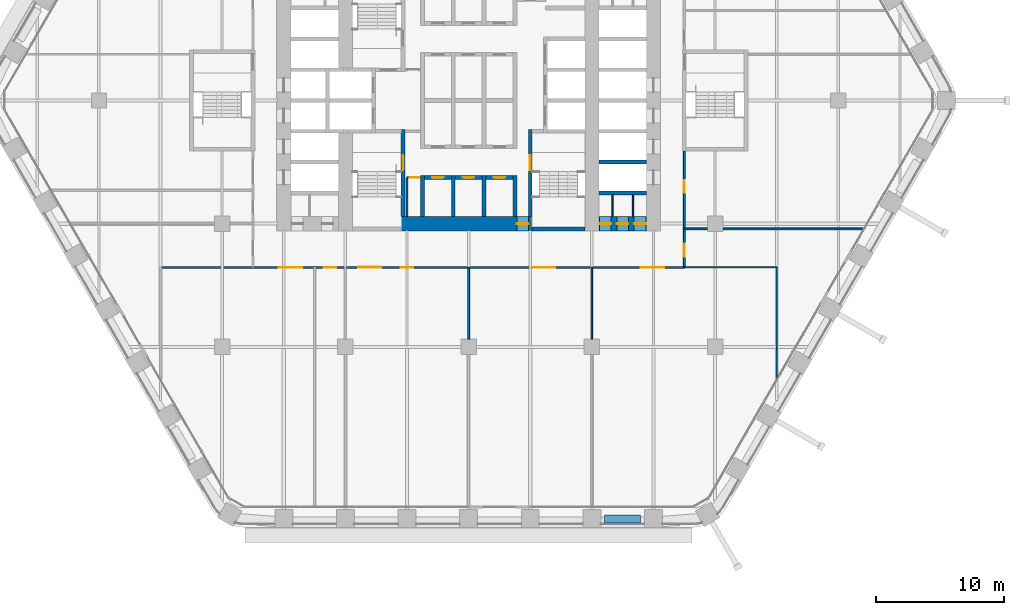
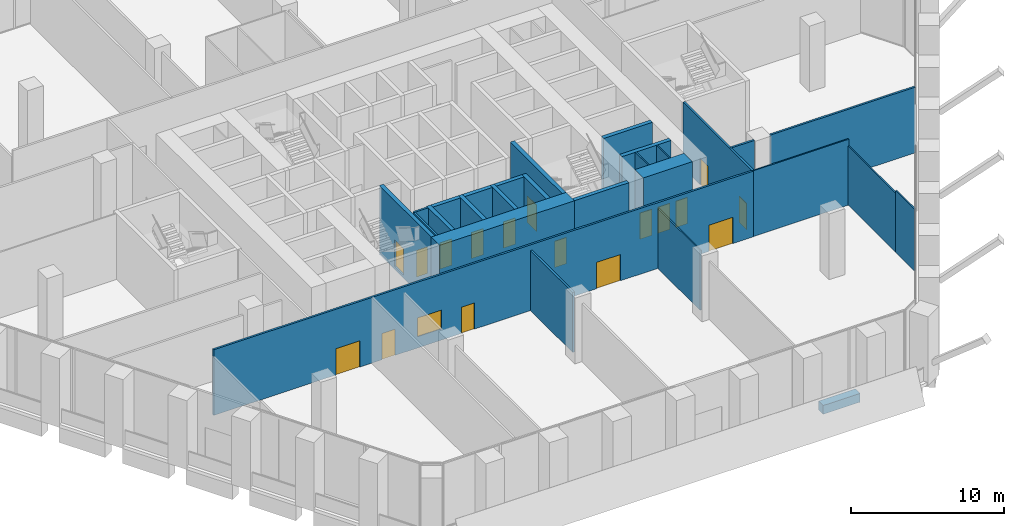
# One storey, part 19 of 29: 28 walls, 17 doors, 1 window, 18 openings.
"""IFC4 building model written with IfcOpenShell, lengths in metres."""

from ifc_helpers import new_model, si_unit, direction, frame, frame_2d, origin, place, context, subcontext, project, spatial, rectangle, extrude, material, layer, layer_set, type_object, element, fill, save


model = new_model("IFC4")

# Units and contexts
model_context = context("Model", 3, precision=1e-05, world=origin(), true_north=direction((0.0, 1.0)))
body_context = subcontext(model_context, "Body", "Model", "MODEL_VIEW")
ifc_project = project(units=[si_unit("LENGTHUNIT", "METRE"), si_unit("AREAUNIT", "SQUARE_METRE"), si_unit("VOLUMEUNIT", "CUBIC_METRE"), si_unit("PLANEANGLEUNIT", "RADIAN"), si_unit("MASSUNIT", "GRAM", prefix="KILO")], contexts=[model_context])

# Site, building, storey
site_placement = place(None, origin())
site = spatial("IfcSite", under=ifc_project, at=site_placement, CompositionType="ELEMENT")
building_placement = place(site_placement, origin())
building = spatial("IfcBuilding", under=site, at=building_placement, Name="Kolab Exchange Tower", CompositionType="ELEMENT")
storey_placement = place(building_placement, frame((0.0, 0.0, 55.39990234375)))
storey = spatial("IfcBuildingStorey", under=building, at=storey_placement, Name="L10", CompositionType="ELEMENT", Elevation=55.39990234375)

# Wall, opening, door
ifc_material_1 = material(Name="Concrete C80/95", Category="concrete")
ifc_layer_1 = layer(ifc_material_1, 1.10009765625)
ifc_layer_set_1 = layer_set([ifc_layer_1], Name="Concrete C80/95")
wall_type_1 = type_object("IfcWallType", Name="CORE WALL 1100 C80/95", PredefinedType="SHEAR", material=ifc_layer_set_1)
wall_1_placement = place(storey_placement, frame((-5.25, -9.60009765625, -0.25), z_axis=(0.0, 0.0, 1.0), x_axis=(1.0, 0.0, 0.0)))
wall_1 = element("IfcWall", 1, at=wall_1_placement, inside=storey, type_object=wall_type_1, Name="wall/L10/core/003", PredefinedType="SHEAR", context=body_context, shape_type="SweptSolid", body=[
    extrude(rectangle(XDim=10.199951171875, YDim=1.10009765625, at=frame_2d((5.10009765625, 0.0))), origin(), (0.0, 0.0, 1.0), 5.5),
])
opening_1_placement = place(wall_1_placement, frame((9.0, 0.0, 0.25)))
opening_1 = element("IfcOpeningElement", 2, at=opening_1_placement, cuts=wall_1, Name="Opening D6-116", PredefinedType="OPENING", context=body_context, shape_type="SweptSolid", body=[
    extrude(rectangle(XDim=0.89990234375, YDim=2.10009765625, at=frame_2d((0.449951171875, 1.050048828125))), frame((0.0, 0.56005859375, 0.0), z_axis=(0.0, -1.0, 0.0), x_axis=(1.0, 0.0, 0.0)), (0.0, 0.0, 1.0), 1.1201171875),
])
ifc_material_2 = material(Name="Steel S235", Category="steel")
door_type_1 = type_object("IfcDoorType", Name="CORE DOOR 900 EI 120", OperationType="SINGLE_SWING_LEFT", PredefinedType="DOOR", material=ifc_material_2)
door_1_placement = place(opening_1_placement, origin())
door_1 = element("IfcDoor", 3, at=door_1_placement, inside=storey, type_object=door_type_1, Name="Core lobby door", OperationType="SINGLE_SWING_LEFT", OverallHeight=2.10009765625, OverallWidth=0.89990234375, PredefinedType="DOOR", context=body_context, shape_type="SweptSolid", body=[
    extrude(rectangle(XDim=0.89990234375, YDim=2.10009765625, at=frame_2d((0.449951171875, 1.050048828125))), frame((0.0, 0.02490234375, 0.0), z_axis=(0.0, -1.0, 0.0), x_axis=(1.0, 0.0, 0.0)), (0.0, 0.0, 1.0), 0.050048828125),
])
fill(opening_1, door_1)

# Wall, openings, doors
wall_2_placement = place(storey_placement, frame((10.14990234375, -9.60009765625, -0.25), z_axis=(0.0, 0.0, 1.0), x_axis=(1.0, 0.0, 0.0)))
wall_2 = element("IfcWall", 4, at=wall_2_placement, inside=storey, type_object=wall_type_1, Name="wall/L10/core/004", PredefinedType="SHEAR", context=body_context, shape_type="SweptSolid", body=[
    extrude(rectangle(XDim=3.7001953125, YDim=1.10009765625, at=frame_2d((1.85009765625, 0.0))), origin(), (0.0, 0.0, 1.0), 5.5),
])
opening_2_placement = place(wall_2_placement, frame((0.050048828125, 0.0, 0.25)))
opening_2 = element("IfcOpeningElement", 5, at=opening_2_placement, cuts=wall_2, Name="Opening D6-117", PredefinedType="OPENING", context=body_context, shape_type="SweptSolid", body=[
    extrude(rectangle(XDim=0.89990234375, YDim=2.10009765625, at=frame_2d((0.449951171875, 1.050048828125))), frame((0.0, 0.56005859375, 0.0), z_axis=(0.0, -1.0, 0.0), x_axis=(1.0, 0.0, 0.0)), (0.0, 0.0, 1.0), 1.1201171875),
])
opening_3_placement = place(wall_2_placement, frame((1.39990234375, 0.0, 0.25)))
opening_3 = element("IfcOpeningElement", 6, at=opening_3_placement, cuts=wall_2, Name="Opening D6-100", PredefinedType="OPENING", context=body_context, shape_type="SweptSolid", body=[
    extrude(rectangle(XDim=0.89990234375, YDim=2.10009765625, at=frame_2d((0.449951171875, 1.050048828125))), frame((0.0, 0.56005859375, 0.0), z_axis=(0.0, -1.0, 0.0), x_axis=(1.0, 0.0, 0.0)), (0.0, 0.0, 1.0), 1.1201171875),
])
opening_4_placement = place(wall_2_placement, frame((2.75, 0.0, 0.25)))
opening_4 = element("IfcOpeningElement", 7, at=opening_4_placement, cuts=wall_2, Name="Opening D6-111", PredefinedType="OPENING", context=body_context, shape_type="SweptSolid", body=[
    extrude(rectangle(XDim=0.89990234375, YDim=2.10009765625, at=frame_2d((0.449951171875, 1.050048828125))), frame((0.0, 0.56005859375, 0.0), z_axis=(0.0, -1.0, 0.0), x_axis=(1.0, 0.0, 0.0)), (0.0, 0.0, 1.0), 1.1201171875),
])
door_2_placement = place(opening_2_placement, origin())
door_2 = element("IfcDoor", 8, at=door_2_placement, inside=storey, type_object=door_type_1, Name="Service room door", OperationType="SINGLE_SWING_RIGHT", OverallHeight=2.10009765625, OverallWidth=0.89990234375, PredefinedType="DOOR", context=body_context, shape_type="SweptSolid", body=[
    extrude(rectangle(XDim=0.89990234375, YDim=2.10009765625, at=frame_2d((0.449951171875, 1.050048828125))), frame((0.0, 0.02490234375, 0.0), z_axis=(0.0, -1.0, 0.0), x_axis=(1.0, 0.0, 0.0)), (0.0, 0.0, 1.0), 0.050048828125),
])
fill(opening_2, door_2)
door_3_placement = place(opening_3_placement, origin())
door_3 = element("IfcDoor", 9, at=door_3_placement, inside=storey, type_object=door_type_1, Name="Service room door", OperationType="SINGLE_SWING_LEFT", OverallHeight=2.10009765625, OverallWidth=0.89990234375, PredefinedType="DOOR", context=body_context, shape_type="SweptSolid", body=[
    extrude(rectangle(XDim=0.89990234375, YDim=2.10009765625, at=frame_2d((0.449951171875, 1.050048828125))), frame((0.0, 0.02490234375, 0.0), z_axis=(0.0, -1.0, 0.0), x_axis=(1.0, 0.0, 0.0)), (0.0, 0.0, 1.0), 0.050048828125),
])
fill(opening_3, door_3)
door_4_placement = place(opening_4_placement, origin())
door_4 = element("IfcDoor", 10, at=door_4_placement, inside=storey, type_object=door_type_1, Name="Service room door", OperationType="SINGLE_SWING_LEFT", OverallHeight=2.10009765625, OverallWidth=0.89990234375, PredefinedType="DOOR", context=body_context, shape_type="SweptSolid", body=[
    extrude(rectangle(XDim=0.89990234375, YDim=2.10009765625, at=frame_2d((0.449951171875, 1.050048828125))), frame((0.0, 0.02490234375, 0.0), z_axis=(0.0, -1.0, 0.0), x_axis=(1.0, 0.0, 0.0)), (0.0, 0.0, 1.0), 0.050048828125),
])
fill(opening_4, door_4)

# Wall
ifc_material_3 = material(Name="Concrete C50/60", Category="concrete")
ifc_layer_2 = layer(ifc_material_3, 0.300048828125)
ifc_layer_set_2 = layer_set([ifc_layer_2], Name="Concrete C50/60")
wall_type_2 = type_object("IfcWallType", Name="LIFT SHAFT WALL 300 C50/60", PredefinedType="STANDARD", material=ifc_layer_set_2)
wall_3_placement = place(storey_placement, frame((10.14990234375, -7.199951171875, -0.25), z_axis=(0.0, 0.0, 1.0), x_axis=(1.0, 0.0, 0.0)))
element("IfcWall", 11, at=wall_3_placement, inside=storey, type_object=wall_type_2, Name="wall/L10/core/006", PredefinedType="STANDARD", context=body_context, shape_type="SweptSolid", body=[
    extrude(rectangle(XDim=3.7001953125, YDim=0.300048828125, at=frame_2d((1.85009765625, 0.0))), origin(), (0.0, 0.0, 1.0), 5.5),
])

# Wall, opening, door
wall_4_placement = place(storey_placement, frame((-3.449951171875, -6.0, -0.25), z_axis=(0.0, 0.0, 1.0), x_axis=(1.0, 0.0, 0.0)))
wall_4 = element("IfcWall", 12, at=wall_4_placement, inside=storey, type_object=wall_type_2, Name="wall/L10/core/007", PredefinedType="STANDARD", context=body_context, shape_type="SweptSolid", body=[
    extrude(rectangle(XDim=2.099853515625, YDim=0.300048828125, at=frame_2d((1.0498046875, 0.0))), origin(), (0.0, 0.0, 1.0), 5.5),
])
opening_5_placement = place(wall_4_placement, frame((0.60009765625, 0.0, 0.25)))
opening_5 = element("IfcOpeningElement", 13, at=opening_5_placement, cuts=wall_4, Name="Opening D6-095", PredefinedType="OPENING", context=body_context, shape_type="SweptSolid", body=[
    extrude(rectangle(XDim=0.89990234375, YDim=2.10009765625, at=frame_2d((0.449951171875, 1.050048828125))), frame((0.0, 0.16015625, 0.0), z_axis=(0.0, -1.0, 0.0), x_axis=(1.0, 0.0, 0.0)), (0.0, 0.0, 1.0), 0.320068359375),
])
door_5_placement = place(opening_5_placement, frame((0.89990234375, 0.0, 0.0), z_axis=(0.0, 0.0, 1.0), x_axis=(-1.0, 0.0, 0.0)))
door_5 = element("IfcDoor", 14, at=door_5_placement, inside=storey, type_object=door_type_1, Name="Service room door", OperationType="SINGLE_SWING_LEFT", OverallHeight=2.10009765625, OverallWidth=0.89990234375, PredefinedType="DOOR", context=body_context, shape_type="SweptSolid", body=[
    extrude(rectangle(XDim=0.89990234375, YDim=2.10009765625, at=frame_2d((0.449951171875, 1.050048828125))), frame((0.0, 0.02490234375, 0.0), z_axis=(0.0, -1.0, 0.0), x_axis=(1.0, 0.0, 0.0)), (0.0, 0.0, 1.0), 0.050048828125),
])
fill(opening_5, door_5)

wall_5_placement = place(storey_placement, frame((-1.050048828125, -6.0, -0.25), z_axis=(0.0, 0.0, 1.0), x_axis=(1.0, 0.0, 0.0)))
wall_5 = element("IfcWall", 15, at=wall_5_placement, inside=storey, type_object=wall_type_2, Name="wall/L10/core/008", PredefinedType="STANDARD", context=body_context, shape_type="SweptSolid", body=[
    extrude(rectangle(XDim=2.10009765625, YDim=0.300048828125, at=frame_2d((1.050048828125, 0.0))), origin(), (0.0, 0.0, 1.0), 5.5),
])
opening_6_placement = place(wall_5_placement, frame((0.60009765625, 0.0, 0.25)))
opening_6 = element("IfcOpeningElement", 16, at=opening_6_placement, cuts=wall_5, Name="Opening D6-115", PredefinedType="OPENING", context=body_context, shape_type="SweptSolid", body=[
    extrude(rectangle(XDim=0.89990234375, YDim=2.10009765625, at=frame_2d((0.449951171875, 1.050048828125))), frame((0.0, 0.16015625, 0.0), z_axis=(0.0, -1.0, 0.0), x_axis=(1.0, 0.0, 0.0)), (0.0, 0.0, 1.0), 0.320068359375),
])
door_6_placement = place(opening_6_placement, frame((0.89990234375, 0.0, 0.0), z_axis=(0.0, 0.0, 1.0), x_axis=(-1.0, 0.0, 0.0)))
door_6 = element("IfcDoor", 17, at=door_6_placement, inside=storey, type_object=door_type_1, Name="Service room door", OperationType="SINGLE_SWING_RIGHT", OverallHeight=2.10009765625, OverallWidth=0.89990234375, PredefinedType="DOOR", context=body_context, shape_type="SweptSolid", body=[
    extrude(rectangle(XDim=0.89990234375, YDim=2.10009765625, at=frame_2d((0.449951171875, 1.050048828125))), frame((0.0, 0.02490234375, 0.0), z_axis=(0.0, -1.0, 0.0), x_axis=(1.0, 0.0, 0.0)), (0.0, 0.0, 1.0), 0.050048828125),
])
fill(opening_6, door_6)

wall_6_placement = place(storey_placement, frame((1.35009765625, -6.0, -0.25), z_axis=(0.0, 0.0, 1.0), x_axis=(1.0, 0.0, 0.0)))
wall_6 = element("IfcWall", 18, at=wall_6_placement, inside=storey, type_object=wall_type_2, Name="wall/L10/core/009", PredefinedType="STANDARD", context=body_context, shape_type="SweptSolid", body=[
    extrude(rectangle(XDim=2.099853515625, YDim=0.300048828125, at=frame_2d((1.0498046875, 0.0))), origin(), (0.0, 0.0, 1.0), 5.5),
])
opening_7_placement = place(wall_6_placement, frame((0.60009765625, 0.0, 0.25)))
opening_7 = element("IfcOpeningElement", 19, at=opening_7_placement, cuts=wall_6, Name="Opening D6-093", PredefinedType="OPENING", context=body_context, shape_type="SweptSolid", body=[
    extrude(rectangle(XDim=0.89990234375, YDim=2.10009765625, at=frame_2d((0.449951171875, 1.050048828125))), frame((0.0, 0.16015625, 0.0), z_axis=(0.0, -1.0, 0.0), x_axis=(1.0, 0.0, 0.0)), (0.0, 0.0, 1.0), 0.320068359375),
])
door_7_placement = place(opening_7_placement, frame((0.89990234375, 0.0, 0.0), z_axis=(0.0, 0.0, 1.0), x_axis=(-1.0, 0.0, 0.0)))
door_7 = element("IfcDoor", 20, at=door_7_placement, inside=storey, type_object=door_type_1, Name="Service room door", OperationType="SINGLE_SWING_RIGHT", OverallHeight=2.10009765625, OverallWidth=0.89990234375, PredefinedType="DOOR", context=body_context, shape_type="SweptSolid", body=[
    extrude(rectangle(XDim=0.89990234375, YDim=2.10009765625, at=frame_2d((0.449951171875, 1.050048828125))), frame((0.0, 0.02490234375, 0.0), z_axis=(0.0, -1.0, 0.0), x_axis=(1.0, 0.0, 0.0)), (0.0, 0.0, 1.0), 0.050048828125),
])
fill(opening_7, door_7)

# Walls
wall_7_placement = place(storey_placement, frame((10.14990234375, -4.800048828125, -0.25), z_axis=(0.0, 0.0, 1.0), x_axis=(1.0, 0.0, 0.0)))
element("IfcWall", 21, at=wall_7_placement, inside=storey, type_object=wall_type_2, Name="wall/L10/core/011", PredefinedType="STANDARD", context=body_context, shape_type="SweptSolid", body=[
    extrude(rectangle(XDim=3.7001953125, YDim=0.300048828125, at=frame_2d((1.85009765625, 0.0))), origin(), (0.0, 0.0, 1.0), 5.5),
])
for number, where, z_axis, x_axis, name in (
    (22, (-3.60009765625, -9.050048828125, -0.25), (0.0, 0.0, 1.0), (0.0, 1.0, 0.0), "wall/L10/core/066"),
    (23, (-1.199951171875, -9.050048828125, -0.25), (0.0, 0.0, 1.0), (0.0, 1.0, 0.0), "wall/L10/core/069"),
    (24, (1.199951171875, -9.050048828125, -0.25), (0.0, 0.0, 1.0), (0.0, 1.0, 0.0), "wall/L10/core/072"),
    (25, (3.60009765625, -9.050048828125, -0.25), (0.0, 0.0, 1.0), (0.0, 1.0, 0.0), "wall/L10/core/075"),
):
    element("IfcWall", number, at=place(storey_placement, frame(where, z_axis=z_axis, x_axis=x_axis)), inside=storey, type_object=wall_type_2, Name=name, PredefinedType="STANDARD", context=body_context, shape_type="SweptSolid", body=[
        extrude(rectangle(XDim=3.199951171875, YDim=0.300048828125, at=frame_2d((1.60009765625, 0.0))), origin(), (0.0, 0.0, 1.0), 5.5),
    ])
ifc_material_4 = material(Name="Gypsum board", Category="gypsum")
ifc_layer_3 = layer(ifc_material_4, 0.10009765625)
ifc_layer_set_3 = layer_set([ifc_layer_3], Name="Gypsum board")
wall_type_3 = type_object("IfcWallType", Name="PARTITION 100", PredefinedType="PARTITIONING", material=ifc_layer_set_3)
wall_8_placement = place(storey_placement, frame((24.0, -19.27392578125, 0.0), z_axis=(0.0, 0.0, 1.0), x_axis=(0.0, 1.0, 0.0)))
element("IfcWall", 26, at=wall_8_placement, inside=storey, type_object=wall_type_3, Name="Partition 000", PredefinedType="PARTITIONING", context=body_context, shape_type="SweptSolid", body=[
    extrude(rectangle(XDim=6.27392578125, YDim=0.10009765625, at=frame_2d((3.136962890625, 0.0))), origin(), (0.0, 0.0, 1.0), 4.717041015625),
])
wall_9_placement = place(storey_placement, frame((24.0, -21.701416015625, 0.0), z_axis=(0.0, 0.0, 1.0), x_axis=(0.0, 1.0, 0.0)))
element("IfcWall", 27, at=wall_9_placement, inside=storey, type_object=wall_type_3, Name="Partition 000", PredefinedType="PARTITIONING", context=body_context, shape_type="SweptSolid", body=[
    extrude(rectangle(XDim=2.427490234375, YDim=0.10009765625, at=frame_2d((1.2138671875, 0.0))), origin(), (0.0, 0.0, 1.0), 4.940185546875),
])
for number, where, z_axis, x_axis, name in (
    (28, (12.800048828125, -9.050048828125, 0.0), (0.0, 0.0, 1.0), (0.0, 1.0, 0.0), "Partition 004"),
    (29, (11.199951171875, -9.050048828125, 0.0), (0.0, 0.0, 1.0), (0.0, 1.0, 0.0), "Partition 006"),
):
    element("IfcWall", number, at=place(storey_placement, frame(where, z_axis=z_axis, x_axis=x_axis)), inside=storey, type_object=wall_type_3, Name=name, PredefinedType="PARTITIONING", context=body_context, shape_type="SweptSolid", body=[
        extrude(rectangle(XDim=1.699951171875, YDim=0.10009765625, at=frame_2d((0.85009765625, 0.0))), origin(), (0.0, 0.0, 1.0), 5.25),
    ])
wall_10_placement = place(storey_placement, frame((9.60009765625, -18.60009765625, 0.0), z_axis=(0.0, 0.0, 1.0), x_axis=(0.0, 1.0, 0.0)))
element("IfcWall", 30, at=wall_10_placement, inside=storey, type_object=wall_type_3, Name="Partition 009", PredefinedType="PARTITIONING", context=body_context, shape_type="SweptSolid", body=[
    extrude(rectangle(XDim=5.60009765625, YDim=0.10009765625, at=frame_2d((2.800048828125, 0.0))), origin(), (0.0, 0.0, 1.0), 4.793212890625),
])
wall_11_placement = place(storey_placement, frame((16.800048828125, -13.0, 0.0), z_axis=(0.0, 0.0, 1.0), x_axis=(1.0, 0.0, 0.0)))
element("IfcWall", 31, at=wall_11_placement, inside=storey, type_object=wall_type_3, Name="Partition 032", PredefinedType="PARTITIONING", context=body_context, shape_type="SweptSolid", body=[
    extrude(rectangle(XDim=7.199951171875, YDim=0.10009765625, at=frame_2d((3.60009765625, 0.0))), origin(), (0.0, 0.0, 1.0), 5.25),
])

# Wall, openings, doors
ifc_layer_4 = layer(ifc_material_4, 0.14990234375)
ifc_layer_set_4 = layer_set([ifc_layer_4], Name="Gypsum board")
wall_type_4 = type_object("IfcWallType", Name="PARTITION 150 FIRE-RATED", PredefinedType="PARTITIONING", material=ifc_layer_set_4)
wall_12_placement = place(storey_placement, frame((16.800048828125, -13.0, 0.0), z_axis=(0.0, 0.0, 1.0), x_axis=(0.0, 1.0, 0.0)))
wall_12 = element("IfcWall", 32, at=wall_12_placement, inside=storey, type_object=wall_type_4, Name="Partition 002", PredefinedType="PARTITIONING", context=body_context, shape_type="SweptSolid", body=[
    extrude(rectangle(XDim=9.050048828125, YDim=0.14990234375, at=frame_2d((4.52490234375, 0.0))), origin(), (0.0, 0.0, 1.0), 5.25),
])
opening_8_placement = place(wall_12_placement, frame((0.8349609375, 0.0, 0.0)))
opening_8 = element("IfcOpeningElement", 33, at=opening_8_placement, cuts=wall_12, Name="Opening D1-125", PredefinedType="OPENING", context=body_context, shape_type="SweptSolid", body=[
    extrude(rectangle(XDim=1.0, YDim=2.10009765625, at=frame_2d((0.5, 1.050048828125))), frame((0.0, 0.0849609375, 0.0), z_axis=(0.0, -1.0, 0.0), x_axis=(1.0, 0.0, 0.0)), (0.0, 0.0, 1.0), 0.169921875),
])
opening_9_placement = place(wall_12_placement, frame((5.800048828125, 0.0, 0.0)))
opening_9 = element("IfcOpeningElement", 34, at=opening_9_placement, cuts=wall_12, Name="Opening D1-116", PredefinedType="OPENING", context=body_context, shape_type="SweptSolid", body=[
    extrude(rectangle(XDim=1.0, YDim=2.10009765625, at=frame_2d((0.5, 1.050048828125))), frame((0.0, 0.0849609375, 0.0), z_axis=(0.0, -1.0, 0.0), x_axis=(1.0, 0.0, 0.0)), (0.0, 0.0, 1.0), 0.169921875),
])
door_type_2 = type_object("IfcDoorType", Name="FLUSH DOOR 1000 FD60", OperationType="SINGLE_SWING_LEFT", PredefinedType="DOOR", material=ifc_material_2)
door_8_placement = place(opening_8_placement, frame((1.0, 0.0, 0.0), z_axis=(0.0, 0.0, 1.0), x_axis=(-1.0, 0.0, 0.0)))
door_8 = element("IfcDoor", 35, at=door_8_placement, inside=storey, type_object=door_type_2, Name="Door L10-061", OperationType="SINGLE_SWING_LEFT", OverallHeight=2.10009765625, OverallWidth=1.0, PredefinedType="DOOR", context=body_context, shape_type="SweptSolid", body=[
    extrude(rectangle(XDim=1.0, YDim=2.10009765625, at=frame_2d((0.5, 1.050048828125))), frame((0.0, 0.02490234375, 0.0), z_axis=(0.0, -1.0, 0.0), x_axis=(1.0, 0.0, 0.0)), (0.0, 0.0, 1.0), 0.050048828125),
])
fill(opening_8, door_8)
door_9_placement = place(opening_9_placement, frame((1.0, 0.0, 0.0), z_axis=(0.0, 0.0, 1.0), x_axis=(-1.0, 0.0, 0.0)))
door_9 = element("IfcDoor", 36, at=door_9_placement, inside=storey, type_object=door_type_2, Name="Door L10-062", OperationType="SINGLE_SWING_RIGHT", OverallHeight=2.10009765625, OverallWidth=1.0, PredefinedType="DOOR", context=body_context, shape_type="SweptSolid", body=[
    extrude(rectangle(XDim=1.0, YDim=2.10009765625, at=frame_2d((0.5, 1.050048828125))), frame((0.0, 0.02490234375, 0.0), z_axis=(0.0, -1.0, 0.0), x_axis=(1.0, 0.0, 0.0)), (0.0, 0.0, 1.0), 0.050048828125),
])
fill(opening_9, door_9)

# Walls
wall_13_placement = place(storey_placement, frame((0.0, -18.60009765625, 0.0), z_axis=(0.0, 0.0, 1.0), x_axis=(0.0, 1.0, 0.0)))
element("IfcWall", 37, at=wall_13_placement, inside=storey, type_object=wall_type_4, Name="Partition 013", PredefinedType="PARTITIONING", context=body_context, shape_type="SweptSolid", body=[
    extrude(rectangle(XDim=5.60009765625, YDim=0.14990234375, at=frame_2d((2.800048828125, 0.0))), origin(), (0.0, 0.0, 1.0), 4.793212890625),
])
wall_14_placement = place(storey_placement, frame((-4.800048828125, -9.050048828125, 0.0), z_axis=(0.0, 0.0, 1.0), x_axis=(0.0, 1.0, 0.0)))
element("IfcWall", 38, at=wall_14_placement, inside=storey, type_object=wall_type_4, Name="Partition 018", PredefinedType="PARTITIONING", context=body_context, shape_type="SweptSolid", body=[
    extrude(rectangle(XDim=3.050048828125, YDim=0.14990234375, at=frame_2d((1.52490234375, 0.0))), origin(), (0.0, 0.0, 1.0), 5.25),
])

# Wall, openings, doors, window
wall_15_placement = place(storey_placement, frame((-24.0, -13.0, 0.0), z_axis=(0.0, 0.0, 1.0), x_axis=(1.0, 0.0, 0.0)))
wall_15 = element("IfcWall", 39, at=wall_15_placement, inside=storey, type_object=wall_type_4, Name="Partition 033", PredefinedType="PARTITIONING", context=body_context, shape_type="SweptSolid", body=[
    extrude(rectangle(XDim=40.800048828125, YDim=0.14990234375, at=frame_2d((20.39990234375, 0.0))), origin(), (0.0, 0.0, 1.0), 5.25),
])
opening_10_placement = place(wall_15_placement, frame((9.22509765625, 0.0, 0.0)))
opening_10 = element("IfcOpeningElement", 40, at=opening_10_placement, cuts=wall_15, Name="Opening D2-023", PredefinedType="OPENING", context=body_context, shape_type="SweptSolid", body=[
    extrude(rectangle(XDim=1.800048828125, YDim=2.10009765625, at=frame_2d((0.89990234375, 1.050048828125))), frame((0.0, 0.0849609375, 0.0), z_axis=(0.0, -1.0, 0.0), x_axis=(1.0, 0.0, 0.0)), (0.0, 0.0, 1.0), 0.169921875),
])
opening_11_placement = place(wall_15_placement, frame((12.699951171875, 0.0, 0.0)))
opening_11 = element("IfcOpeningElement", 41, at=opening_11_placement, cuts=wall_15, Name="Opening D1-113", PredefinedType="OPENING", context=body_context, shape_type="SweptSolid", body=[
    extrude(rectangle(XDim=1.0, YDim=2.10009765625, at=frame_2d((0.5, 1.050048828125))), frame((0.0, 0.0849609375, 0.0), z_axis=(0.0, -1.0, 0.0), x_axis=(1.0, 0.0, 0.0)), (0.0, 0.0, 1.0), 0.169921875),
])
opening_12_placement = place(wall_15_placement, frame((18.699951171875, 0.0, 0.0)))
opening_12 = element("IfcOpeningElement", 42, at=opening_12_placement, cuts=wall_15, Name="Opening D1-114", PredefinedType="OPENING", context=body_context, shape_type="SweptSolid", body=[
    extrude(rectangle(XDim=1.0, YDim=2.10009765625, at=frame_2d((0.5, 1.050048828125))), frame((0.0, 0.0849609375, 0.0), z_axis=(0.0, -1.0, 0.0), x_axis=(1.0, 0.0, 0.0)), (0.0, 0.0, 1.0), 0.169921875),
])
opening_13_placement = place(wall_15_placement, frame((28.93505859375, 0.0, 0.0)))
opening_13 = element("IfcOpeningElement", 43, at=opening_13_placement, cuts=wall_15, Name="Opening D2-028", PredefinedType="OPENING", context=body_context, shape_type="SweptSolid", body=[
    extrude(rectangle(XDim=1.800048828125, YDim=2.10009765625, at=frame_2d((0.89990234375, 1.050048828125))), frame((0.0, 0.0849609375, 0.0), z_axis=(0.0, -1.0, 0.0), x_axis=(1.0, 0.0, 0.0)), (0.0, 0.0, 1.0), 0.169921875),
])
opening_14_placement = place(wall_15_placement, frame((37.425048828125, 0.0, 0.0)))
opening_14 = element("IfcOpeningElement", 44, at=opening_14_placement, cuts=wall_15, Name="Opening D2-029", PredefinedType="OPENING", context=body_context, shape_type="SweptSolid", body=[
    extrude(rectangle(XDim=1.800048828125, YDim=2.10009765625, at=frame_2d((0.89990234375, 1.050048828125))), frame((0.0, 0.0849609375, 0.0), z_axis=(0.0, -1.0, 0.0), x_axis=(1.0, 0.0, 0.0)), (0.0, 0.0, 1.0), 0.169921875),
])
opening_15_placement = place(wall_15_placement, frame((15.39990234375, 0.0, 0.89990234375)))
opening_15 = element("IfcOpeningElement", 45, at=opening_15_placement, cuts=wall_15, Name="Opening W1-002", PredefinedType="OPENING", context=body_context, shape_type="SweptSolid", body=[
    extrude(rectangle(XDim=1.800048828125, YDim=1.5, at=frame_2d((0.89990234375, 0.75))), frame((0.0, 0.0849609375, 0.0), z_axis=(0.0, -1.0, 0.0), x_axis=(1.0, 0.0, 0.0)), (0.0, 0.0, 1.0), 0.169921875),
])
door_type_3 = type_object("IfcDoorType", Name="DOUBLE DOOR 1800 FD60", OperationType="DOUBLE_DOOR_SINGLE_SWING", PredefinedType="DOOR", material=ifc_material_2)
door_10_placement = place(opening_10_placement, frame((1.800048828125, 0.0, 0.0), z_axis=(0.0, 0.0, 1.0), x_axis=(-1.0, 0.0, 0.0)))
door_10 = element("IfcDoor", 46, at=door_10_placement, inside=storey, type_object=door_type_3, Name="Door L10-056", OperationType="SINGLE_SWING_RIGHT", OverallHeight=2.10009765625, OverallWidth=1.800048828125, PredefinedType="DOOR", context=body_context, shape_type="SweptSolid", body=[
    extrude(rectangle(XDim=1.800048828125, YDim=2.10009765625, at=frame_2d((0.89990234375, 1.050048828125))), frame((0.0, 0.02490234375, 0.0), z_axis=(0.0, -1.0, 0.0), x_axis=(1.0, 0.0, 0.0)), (0.0, 0.0, 1.0), 0.050048828125),
])
fill(opening_10, door_10)
door_11_placement = place(opening_13_placement, frame((1.800048828125, 0.0, 0.0), z_axis=(0.0, 0.0, 1.0), x_axis=(-1.0, 0.0, 0.0)))
door_11 = element("IfcDoor", 47, at=door_11_placement, inside=storey, type_object=door_type_3, Name="Door L10-059", OperationType="SINGLE_SWING_RIGHT", OverallHeight=2.10009765625, OverallWidth=1.800048828125, PredefinedType="DOOR", context=body_context, shape_type="SweptSolid", body=[
    extrude(rectangle(XDim=1.800048828125, YDim=2.10009765625, at=frame_2d((0.89990234375, 1.050048828125))), frame((0.0, 0.02490234375, 0.0), z_axis=(0.0, -1.0, 0.0), x_axis=(1.0, 0.0, 0.0)), (0.0, 0.0, 1.0), 0.050048828125),
])
fill(opening_13, door_11)
door_12_placement = place(opening_14_placement, frame((1.800048828125, 0.0, 0.0), z_axis=(0.0, 0.0, 1.0), x_axis=(-1.0, 0.0, 0.0)))
door_12 = element("IfcDoor", 48, at=door_12_placement, inside=storey, type_object=door_type_3, Name="Door L10-060", OperationType="SINGLE_SWING_LEFT", OverallHeight=2.10009765625, OverallWidth=1.800048828125, PredefinedType="DOOR", context=body_context, shape_type="SweptSolid", body=[
    extrude(rectangle(XDim=1.800048828125, YDim=2.10009765625, at=frame_2d((0.89990234375, 1.050048828125))), frame((0.0, 0.02490234375, 0.0), z_axis=(0.0, -1.0, 0.0), x_axis=(1.0, 0.0, 0.0)), (0.0, 0.0, 1.0), 0.050048828125),
])
fill(opening_14, door_12)
door_13_placement = place(opening_11_placement, frame((1.0, 0.0, 0.0), z_axis=(0.0, 0.0, 1.0), x_axis=(-1.0, 0.0, 0.0)))
door_13 = element("IfcDoor", 49, at=door_13_placement, inside=storey, type_object=door_type_2, Name="Door L10-057", OperationType="SINGLE_SWING_LEFT", OverallHeight=2.10009765625, OverallWidth=1.0, PredefinedType="DOOR", context=body_context, shape_type="SweptSolid", body=[
    extrude(rectangle(XDim=1.0, YDim=2.10009765625, at=frame_2d((0.5, 1.050048828125))), frame((0.0, 0.02490234375, 0.0), z_axis=(0.0, -1.0, 0.0), x_axis=(1.0, 0.0, 0.0)), (0.0, 0.0, 1.0), 0.050048828125),
])
fill(opening_11, door_13)
door_14_placement = place(opening_12_placement, frame((1.0, 0.0, 0.0), z_axis=(0.0, 0.0, 1.0), x_axis=(-1.0, 0.0, 0.0)))
door_14 = element("IfcDoor", 50, at=door_14_placement, inside=storey, type_object=door_type_2, Name="Door L10-058", OperationType="SINGLE_SWING_LEFT", OverallHeight=2.10009765625, OverallWidth=1.0, PredefinedType="DOOR", context=body_context, shape_type="SweptSolid", body=[
    extrude(rectangle(XDim=1.0, YDim=2.10009765625, at=frame_2d((0.5, 1.050048828125))), frame((0.0, 0.02490234375, 0.0), z_axis=(0.0, -1.0, 0.0), x_axis=(1.0, 0.0, 0.0)), (0.0, 0.0, 1.0), 0.050048828125),
])
fill(opening_12, door_14)
ifc_material_5 = material(Name="Fire-rated glazing", Category="glass")
window_type = type_object("IfcWindowType", Name="OBSERVATION WINDOW 1800 X 1500 EI 60", PartitioningType="SINGLE_PANEL", PredefinedType="WINDOW", material=ifc_material_5)
window_placement = place(opening_15_placement, origin())
window = element("IfcWindow", 51, at=window_placement, inside=storey, type_object=window_type, Name="Viewing window L10-1", OverallHeight=1.5, OverallWidth=1.800048828125, PartitioningType="SINGLE_PANEL", PredefinedType="WINDOW", context=body_context, shape_type="SweptSolid", body=[
    extrude(rectangle(XDim=1.800048828125, YDim=1.5, at=frame_2d((0.89990234375, 0.75))), frame((0.0, 0.030029296875, 0.0), z_axis=(0.0, -1.0, 0.0), x_axis=(1.0, 0.0, 0.0)), (0.0, 0.0, 1.0), 0.06005859375),
])
fill(opening_15, window)

# Walls
wall_16_placement = place(storey_placement, frame((16.800048828125, -10.0, 0.0), z_axis=(0.0, 0.0, 1.0), x_axis=(1.0, 0.0, 0.0)))
element("IfcWall", 52, at=wall_16_placement, inside=storey, type_object=wall_type_4, Name="Partition 034", PredefinedType="PARTITIONING", context=body_context, shape_type="SweptSolid", body=[
    extrude(rectangle(XDim=1.800048828125, YDim=0.14990234375, at=frame_2d((0.89990234375, 0.0))), origin(), (0.0, 0.0, 1.0), 5.25),
])
wall_17_placement = place(storey_placement, frame((19.800048828125, -10.0, 0.0), z_axis=(0.0, 0.0, 1.0), x_axis=(1.0, 0.0, 0.0)))
element("IfcWall", 53, at=wall_17_placement, inside=storey, type_object=wall_type_4, Name="Partition 035", PredefinedType="PARTITIONING", context=body_context, shape_type="SweptSolid", body=[
    extrude(rectangle(XDim=10.955810546875, YDim=0.14990234375, at=frame_2d((5.47802734375, 0.0))), origin(), (0.0, 0.0, 1.0), 5.25),
])

# Wall, opening, door
wall_18_placement = place(storey_placement, frame((-4.800048828125, -6.0, 0.0), z_axis=(0.0, 0.0, 1.0), x_axis=(1.0, 0.0, 0.0)))
wall_18 = element("IfcWall", 54, at=wall_18_placement, inside=storey, type_object=wall_type_4, Name="Partition 039", PredefinedType="PARTITIONING", context=body_context, shape_type="SweptSolid", body=[
    extrude(rectangle(XDim=1.050048828125, YDim=0.14990234375, at=frame_2d((0.52490234375, 0.0))), origin(), (0.0, 0.0, 1.0), 5.25),
])
opening_16_placement = place(wall_18_placement, frame((0.199951171875, 0.0, 0.0)))
opening_16 = element("IfcOpeningElement", 55, at=opening_16_placement, cuts=wall_18, Name="Opening D7-011", PredefinedType="OPENING", context=body_context, shape_type="SweptSolid", body=[
    extrude(rectangle(XDim=0.800048828125, YDim=2.10009765625, at=frame_2d((0.39990234375, 1.050048828125))), frame((0.0, 0.0849609375, 0.0), z_axis=(0.0, -1.0, 0.0), x_axis=(1.0, 0.0, 0.0)), (0.0, 0.0, 1.0), 0.169921875),
])
door_type_4 = type_object("IfcDoorType", Name="FLUSH DOOR 800 FD60", OperationType="SINGLE_SWING_LEFT", PredefinedType="DOOR", material=ifc_material_2)
door_15_placement = place(opening_16_placement, frame((0.800048828125, 0.0, 0.0), z_axis=(0.0, 0.0, 1.0), x_axis=(-1.0, 0.0, 0.0)))
door_15 = element("IfcDoor", 56, at=door_15_placement, inside=storey, type_object=door_type_4, Name="Door L10-044", OperationType="SINGLE_SWING_RIGHT", OverallHeight=2.10009765625, OverallWidth=0.800048828125, PredefinedType="DOOR", context=body_context, shape_type="SweptSolid", body=[
    extrude(rectangle(XDim=0.800048828125, YDim=2.10009765625, at=frame_2d((0.39990234375, 1.050048828125))), frame((0.0, 0.02490234375, 0.0), z_axis=(0.0, -1.0, 0.0), x_axis=(1.0, 0.0, 0.0)), (0.0, 0.0, 1.0), 0.050048828125),
])
fill(opening_16, door_15)

# Walls
ifc_material_6 = material(Name="Granite facing", Category="masonry")
ifc_layer_5 = layer(ifc_material_6, 0.0400390625)
ifc_material_7 = material(Name="Concrete C40/50 precast", Category="concrete")
ifc_layer_6 = layer(ifc_material_7, 0.56005859375)
ifc_layer_set_5 = layer_set([ifc_layer_5, ifc_layer_6], Name="Concrete C40/50 precast")
wall_type_5 = type_object("IfcWallType", Name="PLANTER BOX 600 X 700 SOIL DEPTH 550", PredefinedType="USERDEFINED", material=ifc_layer_set_5)
wall_19_placement = place(storey_placement, frame((13.39990234375, -32.60546875, 0.0), z_axis=(0.0, 0.0, 1.0), x_axis=(-1.0, 0.0, 0.0)))
element("IfcWall", 57, at=wall_19_placement, inside=storey, type_object=wall_type_5, Name="Planter", ObjectType="PLANTER", PredefinedType="USERDEFINED", context=body_context, shape_type="SweptSolid", body=[
    extrude(rectangle(XDim=2.7998046875, YDim=0.60009765625, at=frame_2d((1.39990234375, 0.0))), origin(), (0.0, 0.0, 1.0), 0.7001953125),
])
ifc_layer_7 = layer(ifc_material_3, 0.300048828125)
ifc_layer_set_6 = layer_set([ifc_layer_7], Name="Concrete C50/60")
wall_type_6 = type_object("IfcWallType", Name="STAIR ENCLOSURE WALL 300 C50/60", PredefinedType="STANDARD", material=ifc_layer_set_6)
wall_20_placement = place(storey_placement, frame((4.949951171875, -10.0, -0.25), z_axis=(0.0, 0.0, 1.0), x_axis=(1.0, 0.0, 0.0)))
element("IfcWall", 58, at=wall_20_placement, inside=storey, type_object=wall_type_6, Name="wall/L10/core/001", PredefinedType="STANDARD", context=body_context, shape_type="SweptSolid", body=[
    extrude(rectangle(XDim=4.10009765625, YDim=0.300048828125, at=frame_2d((2.050048828125, 0.0))), origin(), (0.0, 0.0, 1.0), 5.5),
])

# Wall, opening, door
wall_21_placement = place(storey_placement, frame((-5.10009765625, -9.050048828125, -0.25), z_axis=(0.0, 0.0, 1.0), x_axis=(0.0, 1.0, 0.0)))
wall_21 = element("IfcWall", 59, at=wall_21_placement, inside=storey, type_object=wall_type_6, Name="wall/L10/core/064", PredefinedType="STANDARD", context=body_context, shape_type="SweptSolid", body=[
    extrude(rectangle(XDim=6.800048828125, YDim=0.300048828125, at=frame_2d((3.39990234375, 0.0))), origin(), (0.0, 0.0, 1.0), 5.5),
])
opening_17_placement = place(wall_21_placement, frame((3.60009765625, 0.0, 0.25)))
opening_17 = element("IfcOpeningElement", 60, at=opening_17_placement, cuts=wall_21, Name="Opening D4-022", PredefinedType="OPENING", context=body_context, shape_type="SweptSolid", body=[
    extrude(rectangle(XDim=1.199951171875, YDim=2.10009765625, at=frame_2d((0.60009765625, 1.050048828125))), frame((0.0, 0.16015625, 0.0), z_axis=(0.0, -1.0, 0.0), x_axis=(1.0, 0.0, 0.0)), (0.0, 0.0, 1.0), 0.320068359375),
])
door_type_5 = type_object("IfcDoorType", Name="STAIR DOOR 1200 EI 120", OperationType="SINGLE_SWING_LEFT", PredefinedType="DOOR", material=ifc_material_2)
door_16_placement = place(opening_17_placement, origin())
door_16 = element("IfcDoor", 61, at=door_16_placement, inside=storey, type_object=door_type_5, Name="Stair 3 door", OperationType="SINGLE_SWING_RIGHT", OverallHeight=2.10009765625, OverallWidth=1.199951171875, PredefinedType="DOOR", context=body_context, shape_type="SweptSolid", body=[
    extrude(rectangle(XDim=1.199951171875, YDim=2.10009765625, at=frame_2d((0.60009765625, 1.050048828125))), frame((0.0, 0.02490234375, 0.0), z_axis=(0.0, -1.0, 0.0), x_axis=(1.0, 0.0, 0.0)), (0.0, 0.0, 1.0), 0.050048828125),
])
fill(opening_17, door_16)

wall_22_placement = place(storey_placement, frame((4.800048828125, -9.050048828125, -0.25), z_axis=(0.0, 0.0, 1.0), x_axis=(0.0, 1.0, 0.0)))
wall_22 = element("IfcWall", 62, at=wall_22_placement, inside=storey, type_object=wall_type_6, Name="wall/L10/core/078", PredefinedType="STANDARD", context=body_context, shape_type="SweptSolid", body=[
    extrude(rectangle(XDim=6.800048828125, YDim=0.300048828125, at=frame_2d((3.39990234375, 0.0))), origin(), (0.0, 0.0, 1.0), 5.5),
])
opening_18_placement = place(wall_22_placement, frame((3.60009765625, 0.0, 0.25)))
opening_18 = element("IfcOpeningElement", 63, at=opening_18_placement, cuts=wall_22, Name="Opening D4-021", PredefinedType="OPENING", context=body_context, shape_type="SweptSolid", body=[
    extrude(rectangle(XDim=1.199951171875, YDim=2.10009765625, at=frame_2d((0.60009765625, 1.050048828125))), frame((0.0, 0.16015625, 0.0), z_axis=(0.0, -1.0, 0.0), x_axis=(1.0, 0.0, 0.0)), (0.0, 0.0, 1.0), 0.320068359375),
])
door_17_placement = place(opening_18_placement, frame((1.199951171875, 0.0, 0.0), z_axis=(0.0, 0.0, 1.0), x_axis=(-1.0, 0.0, 0.0)))
door_17 = element("IfcDoor", 64, at=door_17_placement, inside=storey, type_object=door_type_5, Name="Stair 2 door", OperationType="SINGLE_SWING_RIGHT", OverallHeight=2.10009765625, OverallWidth=1.199951171875, PredefinedType="DOOR", context=body_context, shape_type="SweptSolid", body=[
    extrude(rectangle(XDim=1.199951171875, YDim=2.10009765625, at=frame_2d((0.60009765625, 1.050048828125))), frame((0.0, 0.02490234375, 0.0), z_axis=(0.0, -1.0, 0.0), x_axis=(1.0, 0.0, 0.0)), (0.0, 0.0, 1.0), 0.050048828125),
])
fill(opening_18, door_17)

save(model, "model.ifc")
